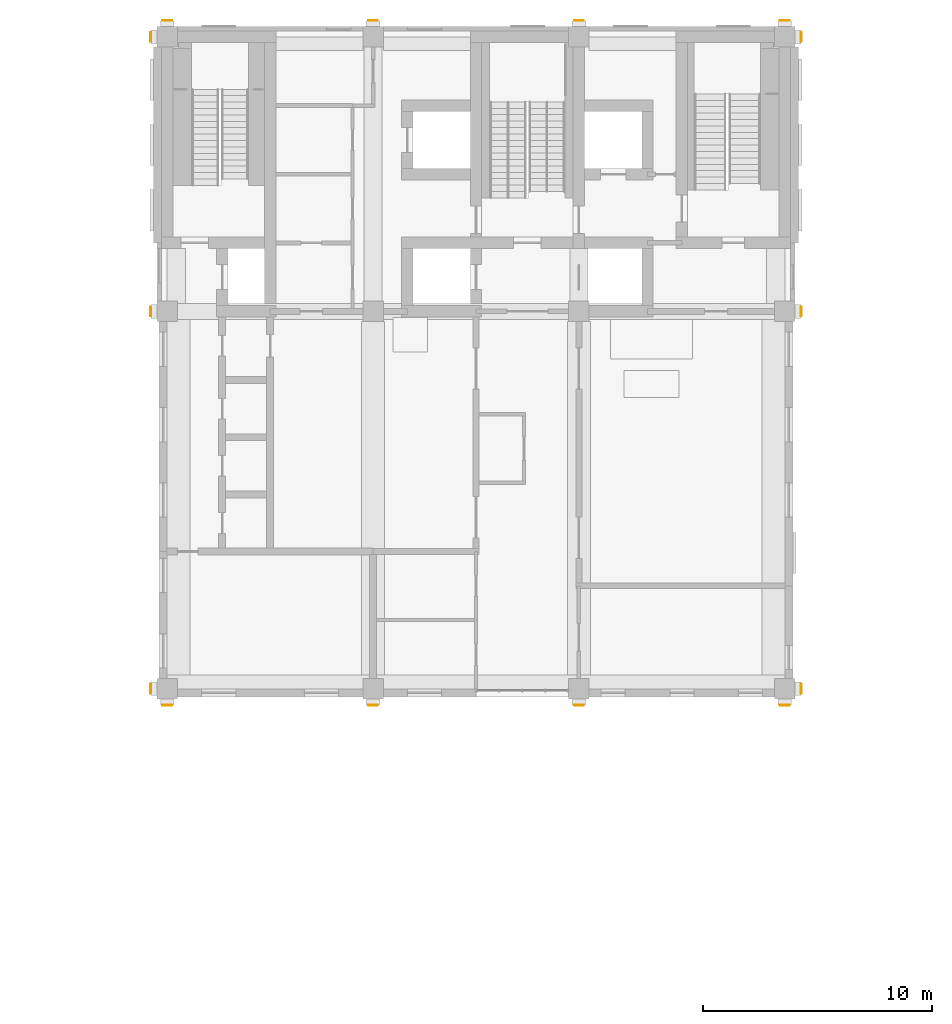
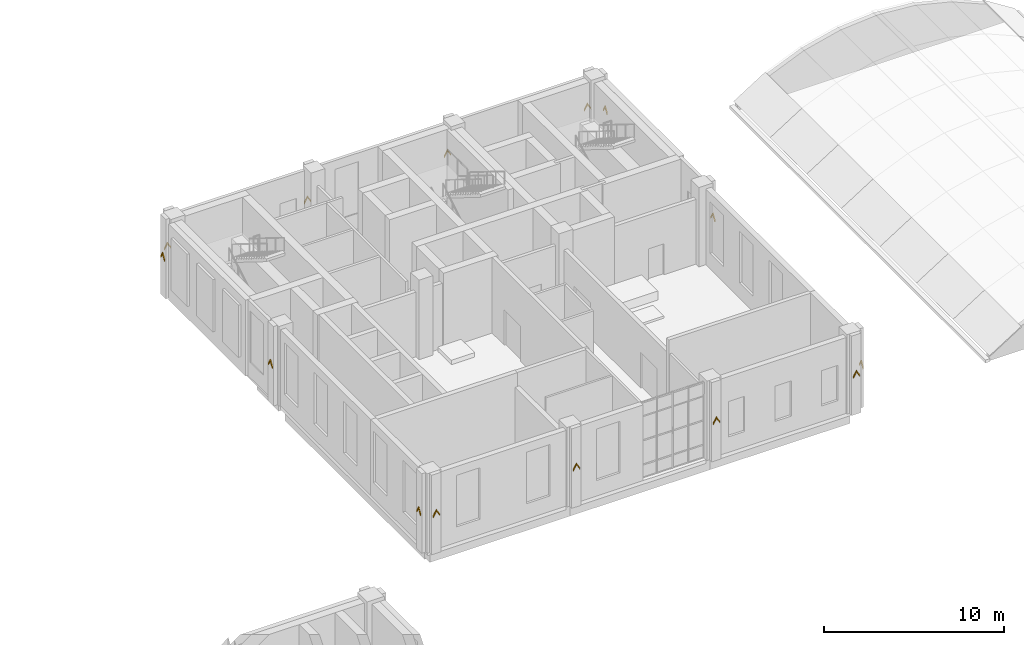
# One storey, part 25 of 25: 14 coverings.
"""IFC4 building model written with IfcOpenShell, lengths in metres."""

from ifc_helpers import new_model, si_unit, direction, frame, origin, place, context, subcontext, project, spatial, polyline, outline, extrude, material, layer, layer_set, type_object, element, save


model = new_model("IFC4")

# Units and contexts
model_context = context("Model", 3, precision=1e-05, world=origin(), true_north=direction((0.0, 1.0)))
body_context = subcontext(model_context, "Body", "Model", "MODEL_VIEW")
ifc_project = project(units=[si_unit("LENGTHUNIT", "METRE"), si_unit("AREAUNIT", "SQUARE_METRE"), si_unit("VOLUMEUNIT", "CUBIC_METRE"), si_unit("PLANEANGLEUNIT", "RADIAN"), si_unit("MASSUNIT", "GRAM", prefix="KILO")], contexts=[model_context])

# Site, building, storey
site_placement = place(None, origin())
site = spatial("IfcSite", under=ifc_project, at=site_placement, CompositionType="ELEMENT")
building_placement = place(site_placement, origin())
building = spatial("IfcBuilding", under=site, at=building_placement, Name="Aurelan Courthouse", CompositionType="ELEMENT")
storey_placement = place(building_placement, frame((0.0, 0.0, 33.60009765625)))
storey = spatial("IfcBuildingStorey", under=building, at=storey_placement, Name="L06", CompositionType="ELEMENT", Elevation=33.60009765625)

# Coverings
ifc_material = material(Name="Bronze sheet cladding")
ifc_layer = layer(ifc_material, 0.0400390625)
ifc_layer_set = layer_set([ifc_layer], Name="Bronze sheet cladding")
covering_type = type_object("IfcCoveringType", Name="Courtroom Block chevron relief 420 x 470", PredefinedType="CLADDING", material=ifc_layer_set)
for number, where, z_axis, x_axis, name in (
    (1, (36.0, 36.800048828125, -33.60009765625), (0.0, -1.0, 0.0), (1.0, 0.0, 0.0), "Chevron relief CH-V2-054"),
    (2, (45.0, 36.800048828125, -33.60009765625), (0.0, -1.0, 0.0), (1.0, 0.0, 0.0), "Chevron relief CH-V2-055"),
    (3, (54.0, 36.800048828125, -33.60009765625), (0.0, -1.0, 0.0), (1.0, 0.0, 0.0), "Chevron relief CH-V2-056"),
    (4, (63.0, 36.800048828125, -33.60009765625), (0.0, -1.0, 0.0), (1.0, 0.0, 0.0), "Chevron relief CH-V2-057"),
    (5, (36.0, 66.699951171875, -33.60009765625), (0.0, 1.0, 0.0), (-1.0, 0.0, 0.0), "Chevron relief CH-V2-058"),
    (6, (45.0, 66.699951171875, -33.60009765625), (0.0, 1.0, 0.0), (-1.0, 0.0, 0.0), "Chevron relief CH-V2-059"),
    (7, (54.0, 66.699951171875, -33.60009765625), (0.0, 1.0, 0.0), (-1.0, 0.0, 0.0), "Chevron relief CH-V2-060"),
    (8, (63.0, 66.699951171875, -33.60009765625), (0.0, 1.0, 0.0), (-1.0, 0.0, 0.0), "Chevron relief CH-V2-061"),
    (9, (63.699951171875, 37.5, -33.60009765625), (1.0, 0.0, 0.0), (0.0, 1.0, 0.0), "Chevron relief CH-V2-062"),
    (10, (63.699951171875, 54.0, -33.60009765625), (1.0, 0.0, 0.0), (0.0, 1.0, 0.0), "Chevron relief CH-V2-063"),
    (11, (63.699951171875, 66.0, -33.60009765625), (1.0, 0.0, 0.0), (0.0, 1.0, 0.0), "Chevron relief CH-V2-064"),
    (12, (35.300048828125, 37.5, -33.60009765625), (-1.0, 0.0, 0.0), (0.0, -1.0, 0.0), "Chevron relief CH-V2-065"),
    (13, (35.300048828125, 54.0, -33.60009765625), (-1.0, 0.0, 0.0), (0.0, -1.0, 0.0), "Chevron relief CH-V2-066"),
    (14, (35.300048828125, 66.0, -33.60009765625), (-1.0, 0.0, 0.0), (0.0, -1.0, 0.0), "Chevron relief CH-V2-067"),
):
    element("IfcCovering", number, at=place(storey_placement, frame(where, z_axis=z_axis, x_axis=x_axis)), inside=storey, type_object=covering_type, Name=name, PredefinedType="CLADDING", context=body_context, shape_type="SweptSolid", body=[
        extrude(outline(polyline([(-0.2099609375, 36.125), (0.0, 36.47509765625), (0.2099609375, 36.125), (0.2099609375, 36.2451171875), (0.0, 36.594970703125), (-0.2099609375, 36.2451171875), (-0.2099609375, 36.125)])), origin(), (0.0, 0.0, 1.0), 0.0400390625),
    ])

save(model, "model.ifc")
